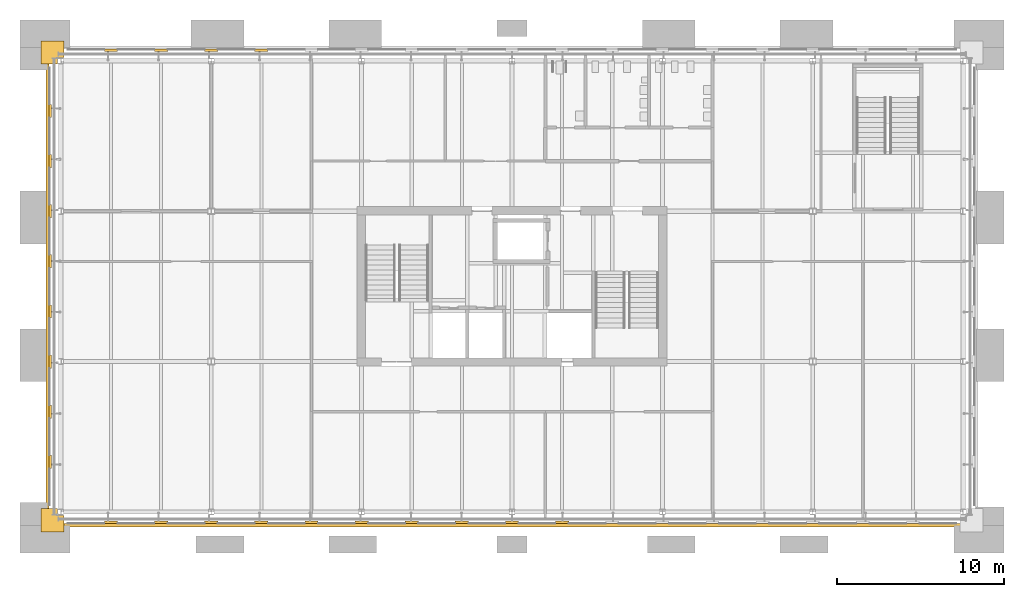
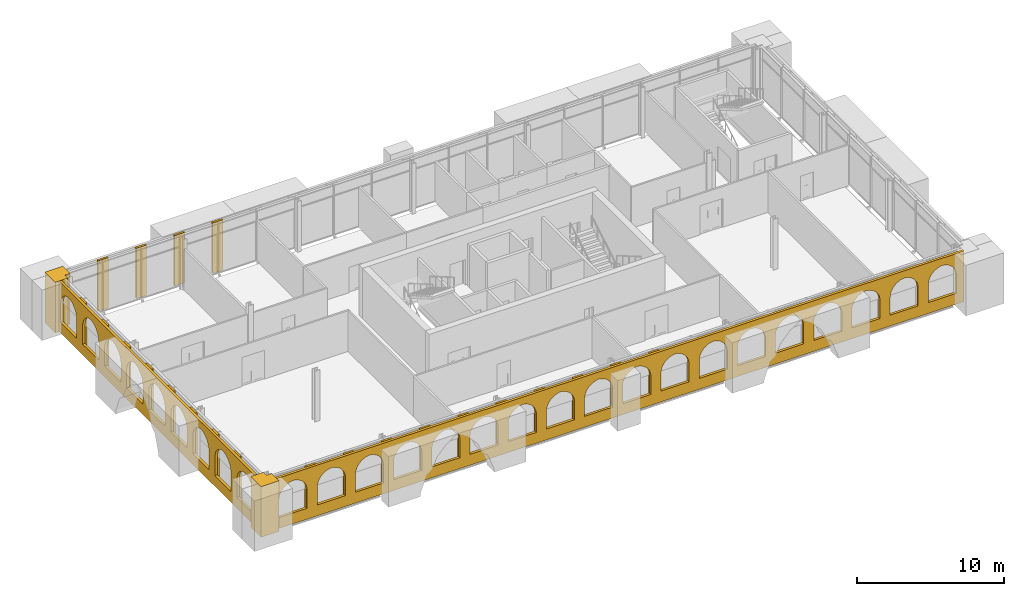
# One storey, part 19 of 22: 24 shading devices, 2 coverings.
"""IFC4 building model written with IfcOpenShell, lengths in metres."""

from ifc_helpers import new_model, si_unit, direction, frame, origin, origin_2d, place, context, subcontext, project, spatial, polyline, rectangle, outline, extrude, material, layer, layer_set, type_object, element, save


model = new_model("IFC4")

# Units and contexts
model_context = context("Model", 3, precision=1e-05, world=origin(), true_north=direction((0.0, 1.0)))
body_context = subcontext(model_context, "Body", "Model", "MODEL_VIEW")
ifc_project = project(units=[si_unit("LENGTHUNIT", "METRE"), si_unit("AREAUNIT", "SQUARE_METRE"), si_unit("VOLUMEUNIT", "CUBIC_METRE"), si_unit("PLANEANGLEUNIT", "RADIAN"), si_unit("MASSUNIT", "GRAM", prefix="KILO")], contexts=[model_context])

# Site, building, storey
site_placement = place(None, origin())
site = spatial("IfcSite", under=ifc_project, at=site_placement, CompositionType="ELEMENT")
building_placement = place(site_placement, origin())
building = spatial("IfcBuilding", under=site, at=building_placement, Name="Baradari Gate Terminus", CompositionType="ELEMENT")
storey_placement = place(building_placement, frame((0.0, 0.0, 28.5)))
storey = spatial("IfcBuildingStorey", under=building, at=storey_placement, Name="L06", CompositionType="ELEMENT", Elevation=28.5)

# Coverings
ifc_material_1 = material(Name="Light ochre laterite masonry", Category="masonry")
ifc_layer = layer(ifc_material_1, 0.199951171875)
ifc_layer_set = layer_set([ifc_layer], Name="Light ochre laterite masonry")
covering_type = type_object("IfcCoveringType", Name="Laterite arcade cladding LC-2 200", PredefinedType="CLADDING", material=ifc_layer_set)
covering_1_placement = place(storey_placement, frame((8.800048828125, 116.199951171875, 0.0), z_axis=(0.0, 0.0, 1.0), x_axis=(1.0, 0.0, 0.0)))
element("IfcCovering", 1, at=covering_1_placement, inside=storey, type_object=covering_type, Name="Laterite arcade cladding LC-2 L06 S face 1", PredefinedType="CLADDING", context=body_context, shape_type="SweptSolid", body=[
    extrude(outline(polyline([(0.0, 0.0), (54.39990234375, 0.0), (54.39990234375, 4.199951171875), (0.0, 4.199951171875), (0.0, 0.0)]), holes=[polyline([(0.681884765625, 2.836669921875), (0.744384765625, 2.9716796875), (0.822998046875, 3.09814453125), (0.91650390625, 3.2138671875), (1.023681640625, 3.317138671875), (1.142822265625, 3.406494140625), (1.272216796875, 3.48046875), (1.409423828125, 3.537841796875), (1.552734375, 3.577880859375), (1.699951171875, 3.60009765625), (1.84716796875, 3.577880859375), (1.990478515625, 3.537841796875), (2.1279296875, 3.48046875), (2.257080078125, 3.406494140625), (2.376220703125, 3.317138671875), (2.4833984375, 3.2138671875), (2.576904296875, 3.09814453125), (2.655517578125, 2.9716796875), (2.718017578125, 2.836669921875), (2.76318359375, 2.69482421875), (2.790771484375, 2.548583984375), (2.800048828125, 2.39990234375), (2.800048828125, 0.89990234375), (0.60009765625, 0.89990234375), (0.60009765625, 2.39990234375), (0.609130859375, 2.548583984375), (0.63671875, 2.69482421875), (0.681884765625, 2.836669921875)]), polyline([(3.681884765625, 2.836669921875), (3.744384765625, 2.9716796875), (3.822998046875, 3.09814453125), (3.91650390625, 3.2138671875), (4.023681640625, 3.317138671875), (4.142822265625, 3.406494140625), (4.272216796875, 3.48046875), (4.409423828125, 3.537841796875), (4.552734375, 3.577880859375), (4.699951171875, 3.60009765625), (4.84716796875, 3.577880859375), (4.990478515625, 3.537841796875), (5.1279296875, 3.48046875), (5.257080078125, 3.406494140625), (5.376220703125, 3.317138671875), (5.4833984375, 3.2138671875), (5.576904296875, 3.09814453125), (5.655517578125, 2.9716796875), (5.718017578125, 2.836669921875), (5.76318359375, 2.69482421875), (5.790771484375, 2.548583984375), (5.800048828125, 2.39990234375), (5.800048828125, 0.89990234375), (3.60009765625, 0.89990234375), (3.60009765625, 2.39990234375), (3.609130859375, 2.548583984375), (3.63671875, 2.69482421875), (3.681884765625, 2.836669921875)]), polyline([(6.681884765625, 2.836669921875), (6.744384765625, 2.9716796875), (6.822998046875, 3.09814453125), (6.91650390625, 3.2138671875), (7.023681640625, 3.317138671875), (7.142822265625, 3.406494140625), (7.272216796875, 3.48046875), (7.409423828125, 3.537841796875), (7.552734375, 3.577880859375), (7.699951171875, 3.60009765625), (7.84716796875, 3.577880859375), (7.990478515625, 3.537841796875), (8.1279296875, 3.48046875), (8.257080078125, 3.406494140625), (8.376220703125, 3.317138671875), (8.4833984375, 3.2138671875), (8.576904296875, 3.09814453125), (8.655517578125, 2.9716796875), (8.718017578125, 2.836669921875), (8.76318359375, 2.69482421875), (8.790771484375, 2.548583984375), (8.800048828125, 2.39990234375), (8.800048828125, 0.89990234375), (6.60009765625, 0.89990234375), (6.60009765625, 2.39990234375), (6.609130859375, 2.548583984375), (6.63671875, 2.69482421875), (6.681884765625, 2.836669921875)]), polyline([(9.681884765625, 2.836669921875), (9.744384765625, 2.9716796875), (9.822998046875, 3.09814453125), (9.91650390625, 3.2138671875), (10.023681640625, 3.317138671875), (10.142822265625, 3.406494140625), (10.272216796875, 3.48046875), (10.409423828125, 3.537841796875), (10.552734375, 3.577880859375), (10.699951171875, 3.60009765625), (10.84716796875, 3.577880859375), (10.990478515625, 3.537841796875), (11.1279296875, 3.48046875), (11.257080078125, 3.406494140625), (11.376220703125, 3.317138671875), (11.4833984375, 3.2138671875), (11.576904296875, 3.09814453125), (11.655517578125, 2.9716796875), (11.718017578125, 2.836669921875), (11.76318359375, 2.69482421875), (11.790771484375, 2.548583984375), (11.800048828125, 2.39990234375), (11.800048828125, 0.89990234375), (9.60009765625, 0.89990234375), (9.60009765625, 2.39990234375), (9.609130859375, 2.548583984375), (9.63671875, 2.69482421875), (9.681884765625, 2.836669921875)]), polyline([(12.681884765625, 2.836669921875), (12.744384765625, 2.9716796875), (12.822998046875, 3.09814453125), (12.91650390625, 3.2138671875), (13.023681640625, 3.317138671875), (13.142822265625, 3.406494140625), (13.272216796875, 3.48046875), (13.409423828125, 3.537841796875), (13.552734375, 3.577880859375), (13.699951171875, 3.60009765625), (13.84716796875, 3.577880859375), (13.990478515625, 3.537841796875), (14.1279296875, 3.48046875), (14.257080078125, 3.406494140625), (14.376220703125, 3.317138671875), (14.4833984375, 3.2138671875), (14.576904296875, 3.09814453125), (14.655517578125, 2.9716796875), (14.718017578125, 2.836669921875), (14.76318359375, 2.69482421875), (14.790771484375, 2.548583984375), (14.800048828125, 2.39990234375), (14.800048828125, 0.89990234375), (12.60009765625, 0.89990234375), (12.60009765625, 2.39990234375), (12.609130859375, 2.548583984375), (12.63671875, 2.69482421875), (12.681884765625, 2.836669921875)]), polyline([(15.681884765625, 2.836669921875), (15.744384765625, 2.9716796875), (15.822998046875, 3.09814453125), (15.91650390625, 3.2138671875), (16.023681640625, 3.317138671875), (16.142822265625, 3.406494140625), (16.272216796875, 3.48046875), (16.409423828125, 3.537841796875), (16.552734375, 3.577880859375), (16.699951171875, 3.60009765625), (16.84716796875, 3.577880859375), (16.990478515625, 3.537841796875), (17.1279296875, 3.48046875), (17.257080078125, 3.406494140625), (17.376220703125, 3.317138671875), (17.4833984375, 3.2138671875), (17.576904296875, 3.09814453125), (17.655517578125, 2.9716796875), (17.718017578125, 2.836669921875), (17.76318359375, 2.69482421875), (17.790771484375, 2.548583984375), (17.800048828125, 2.39990234375), (17.800048828125, 0.89990234375), (15.60009765625, 0.89990234375), (15.60009765625, 2.39990234375), (15.609130859375, 2.548583984375), (15.63671875, 2.69482421875), (15.681884765625, 2.836669921875)]), polyline([(18.681884765625, 2.836669921875), (18.744384765625, 2.9716796875), (18.822998046875, 3.09814453125), (18.91650390625, 3.2138671875), (19.023681640625, 3.317138671875), (19.142822265625, 3.406494140625), (19.272216796875, 3.48046875), (19.409423828125, 3.537841796875), (19.552734375, 3.577880859375), (19.699951171875, 3.60009765625), (19.84716796875, 3.577880859375), (19.990478515625, 3.537841796875), (20.1279296875, 3.48046875), (20.257080078125, 3.406494140625), (20.376220703125, 3.317138671875), (20.4833984375, 3.2138671875), (20.576904296875, 3.09814453125), (20.655517578125, 2.9716796875), (20.718017578125, 2.836669921875), (20.76318359375, 2.69482421875), (20.790771484375, 2.548583984375), (20.800048828125, 2.39990234375), (20.800048828125, 0.89990234375), (18.60009765625, 0.89990234375), (18.60009765625, 2.39990234375), (18.609130859375, 2.548583984375), (18.63671875, 2.69482421875), (18.681884765625, 2.836669921875)]), polyline([(21.744384765625, 2.9716796875), (21.822998046875, 3.09814453125), (21.91650390625, 3.2138671875), (22.023681640625, 3.317138671875), (22.142822265625, 3.406494140625), (22.272216796875, 3.48046875), (22.409423828125, 3.537841796875), (22.552734375, 3.577880859375), (22.699951171875, 3.60009765625), (22.84716796875, 3.577880859375), (22.990478515625, 3.537841796875), (23.1279296875, 3.48046875), (23.257080078125, 3.406494140625), (23.376220703125, 3.317138671875), (23.4833984375, 3.2138671875), (23.576904296875, 3.09814453125), (23.655517578125, 2.9716796875), (23.718017578125, 2.836669921875), (23.76318359375, 2.69482421875), (23.790771484375, 2.548583984375), (23.800048828125, 2.39990234375), (23.800048828125, 0.89990234375), (21.60009765625, 0.89990234375), (21.60009765625, 2.39990234375), (21.609130859375, 2.548583984375), (21.63671875, 2.69482421875), (21.681884765625, 2.836669921875), (21.744384765625, 2.9716796875)]), polyline([(24.744384765625, 2.9716796875), (24.822998046875, 3.09814453125), (24.91650390625, 3.2138671875), (25.023681640625, 3.317138671875), (25.142822265625, 3.406494140625), (25.272216796875, 3.48046875), (25.409423828125, 3.537841796875), (25.552734375, 3.577880859375), (25.699951171875, 3.60009765625), (25.84716796875, 3.577880859375), (25.990478515625, 3.537841796875), (26.1279296875, 3.48046875), (26.257080078125, 3.406494140625), (26.376220703125, 3.317138671875), (26.4833984375, 3.2138671875), (26.576904296875, 3.09814453125), (26.655517578125, 2.9716796875), (26.718017578125, 2.836669921875), (26.76318359375, 2.69482421875), (26.790771484375, 2.548583984375), (26.800048828125, 2.39990234375), (26.800048828125, 0.89990234375), (24.60009765625, 0.89990234375), (24.60009765625, 2.39990234375), (24.609130859375, 2.548583984375), (24.63671875, 2.69482421875), (24.681884765625, 2.836669921875), (24.744384765625, 2.9716796875)]), polyline([(27.681884765625, 2.836669921875), (27.744384765625, 2.9716796875), (27.822998046875, 3.09814453125), (27.91650390625, 3.2138671875), (28.023681640625, 3.317138671875), (28.142822265625, 3.406494140625), (28.272216796875, 3.48046875), (28.409423828125, 3.537841796875), (28.552734375, 3.577880859375), (28.699951171875, 3.60009765625), (28.84716796875, 3.577880859375), (28.990478515625, 3.537841796875), (29.1279296875, 3.48046875), (29.257080078125, 3.406494140625), (29.376220703125, 3.317138671875), (29.4833984375, 3.2138671875), (29.576904296875, 3.09814453125), (29.655517578125, 2.9716796875), (29.718017578125, 2.836669921875), (29.76318359375, 2.69482421875), (29.790771484375, 2.548583984375), (29.800048828125, 2.39990234375), (29.800048828125, 0.89990234375), (27.60009765625, 0.89990234375), (27.60009765625, 2.39990234375), (27.609130859375, 2.548583984375), (27.63671875, 2.69482421875), (27.681884765625, 2.836669921875)]), polyline([(30.681884765625, 2.836669921875), (30.744384765625, 2.9716796875), (30.822998046875, 3.09814453125), (30.91650390625, 3.2138671875), (31.023681640625, 3.317138671875), (31.142822265625, 3.406494140625), (31.272216796875, 3.48046875), (31.409423828125, 3.537841796875), (31.552734375, 3.577880859375), (31.699951171875, 3.60009765625), (31.84716796875, 3.577880859375), (31.990478515625, 3.537841796875), (32.1279296875, 3.48046875), (32.257080078125, 3.406494140625), (32.376220703125, 3.317138671875), (32.4833984375, 3.2138671875), (32.576904296875, 3.09814453125), (32.655517578125, 2.9716796875), (32.718017578125, 2.836669921875), (32.76318359375, 2.69482421875), (32.790771484375, 2.548583984375), (32.800048828125, 2.39990234375), (32.800048828125, 0.89990234375), (30.60009765625, 0.89990234375), (30.60009765625, 2.39990234375), (30.609130859375, 2.548583984375), (30.63671875, 2.69482421875), (30.681884765625, 2.836669921875)]), polyline([(33.681884765625, 2.836669921875), (33.744384765625, 2.9716796875), (33.822998046875, 3.09814453125), (33.91650390625, 3.2138671875), (34.023681640625, 3.317138671875), (34.142822265625, 3.406494140625), (34.272216796875, 3.48046875), (34.409423828125, 3.537841796875), (34.552734375, 3.577880859375), (34.699951171875, 3.60009765625), (34.84716796875, 3.577880859375), (34.990478515625, 3.537841796875), (35.1279296875, 3.48046875), (35.257080078125, 3.406494140625), (35.376220703125, 3.317138671875), (35.4833984375, 3.2138671875), (35.576904296875, 3.09814453125), (35.655517578125, 2.9716796875), (35.718017578125, 2.836669921875), (35.76318359375, 2.69482421875), (35.790771484375, 2.548583984375), (35.800048828125, 2.39990234375), (35.800048828125, 0.89990234375), (33.60009765625, 0.89990234375), (33.60009765625, 2.39990234375), (33.609130859375, 2.548583984375), (33.63671875, 2.69482421875), (33.681884765625, 2.836669921875)]), polyline([(36.681884765625, 2.836669921875), (36.744384765625, 2.9716796875), (36.822998046875, 3.09814453125), (36.91650390625, 3.2138671875), (37.023681640625, 3.317138671875), (37.142822265625, 3.406494140625), (37.272216796875, 3.48046875), (37.409423828125, 3.537841796875), (37.552734375, 3.577880859375), (37.699951171875, 3.60009765625), (37.84716796875, 3.577880859375), (37.990478515625, 3.537841796875), (38.1279296875, 3.48046875), (38.257080078125, 3.406494140625), (38.376220703125, 3.317138671875), (38.4833984375, 3.2138671875), (38.576904296875, 3.09814453125), (38.655517578125, 2.9716796875), (38.718017578125, 2.836669921875), (38.76318359375, 2.69482421875), (38.790771484375, 2.548583984375), (38.800048828125, 2.39990234375), (38.800048828125, 0.89990234375), (36.60009765625, 0.89990234375), (36.60009765625, 2.39990234375), (36.609130859375, 2.548583984375), (36.63671875, 2.69482421875), (36.681884765625, 2.836669921875)]), polyline([(39.681884765625, 2.836669921875), (39.744384765625, 2.9716796875), (39.822998046875, 3.09814453125), (39.91650390625, 3.2138671875), (40.023681640625, 3.317138671875), (40.142822265625, 3.406494140625), (40.272216796875, 3.48046875), (40.409423828125, 3.537841796875), (40.552734375, 3.577880859375), (40.699951171875, 3.60009765625), (40.84716796875, 3.577880859375), (40.990478515625, 3.537841796875), (41.1279296875, 3.48046875), (41.257080078125, 3.406494140625), (41.376220703125, 3.317138671875), (41.4833984375, 3.2138671875), (41.576904296875, 3.09814453125), (41.655517578125, 2.9716796875), (41.718017578125, 2.836669921875), (41.76318359375, 2.69482421875), (41.790771484375, 2.548583984375), (41.800048828125, 2.39990234375), (41.800048828125, 0.89990234375), (39.60009765625, 0.89990234375), (39.60009765625, 2.39990234375), (39.609130859375, 2.548583984375), (39.63671875, 2.69482421875), (39.681884765625, 2.836669921875)]), polyline([(42.681884765625, 2.836669921875), (42.744384765625, 2.9716796875), (42.822998046875, 3.09814453125), (42.91650390625, 3.2138671875), (43.023681640625, 3.317138671875), (43.142822265625, 3.406494140625), (43.272216796875, 3.48046875), (43.409423828125, 3.537841796875), (43.552734375, 3.577880859375), (43.699951171875, 3.60009765625), (43.84716796875, 3.577880859375), (43.990478515625, 3.537841796875), (44.1279296875, 3.48046875), (44.257080078125, 3.406494140625), (44.376220703125, 3.317138671875), (44.4833984375, 3.2138671875), (44.576904296875, 3.09814453125), (44.655517578125, 2.9716796875), (44.718017578125, 2.836669921875), (44.76318359375, 2.69482421875), (44.790771484375, 2.548583984375), (44.800048828125, 2.39990234375), (44.800048828125, 0.89990234375), (42.60009765625, 0.89990234375), (42.60009765625, 2.39990234375), (42.609130859375, 2.548583984375), (42.63671875, 2.69482421875), (42.681884765625, 2.836669921875)]), polyline([(45.681884765625, 2.836669921875), (45.744384765625, 2.9716796875), (45.822998046875, 3.09814453125), (45.91650390625, 3.2138671875), (46.023681640625, 3.317138671875), (46.142822265625, 3.406494140625), (46.272216796875, 3.48046875), (46.409423828125, 3.537841796875), (46.552734375, 3.577880859375), (46.699951171875, 3.60009765625), (46.84716796875, 3.577880859375), (46.990478515625, 3.537841796875), (47.1279296875, 3.48046875), (47.257080078125, 3.406494140625), (47.376220703125, 3.317138671875), (47.4833984375, 3.2138671875), (47.576904296875, 3.09814453125), (47.655517578125, 2.9716796875), (47.718017578125, 2.836669921875), (47.76318359375, 2.69482421875), (47.790771484375, 2.548583984375), (47.800048828125, 2.39990234375), (47.800048828125, 0.89990234375), (45.60009765625, 0.89990234375), (45.60009765625, 2.39990234375), (45.609130859375, 2.548583984375), (45.63671875, 2.69482421875), (45.681884765625, 2.836669921875)]), polyline([(48.744384765625, 2.9716796875), (48.822998046875, 3.09814453125), (48.91650390625, 3.2138671875), (49.023681640625, 3.317138671875), (49.142822265625, 3.406494140625), (49.272216796875, 3.48046875), (49.409423828125, 3.537841796875), (49.552734375, 3.577880859375), (49.699951171875, 3.60009765625), (49.84716796875, 3.577880859375), (49.990478515625, 3.537841796875), (50.1279296875, 3.48046875), (50.257080078125, 3.406494140625), (50.376220703125, 3.317138671875), (50.4833984375, 3.2138671875), (50.576904296875, 3.09814453125), (50.655517578125, 2.9716796875), (50.718017578125, 2.836669921875), (50.76318359375, 2.69482421875), (50.790771484375, 2.548583984375), (50.800048828125, 2.39990234375), (50.800048828125, 0.89990234375), (48.60009765625, 0.89990234375), (48.60009765625, 2.39990234375), (48.609130859375, 2.548583984375), (48.63671875, 2.69482421875), (48.681884765625, 2.836669921875), (48.744384765625, 2.9716796875)]), polyline([(51.744384765625, 2.9716796875), (51.822998046875, 3.09814453125), (51.91650390625, 3.2138671875), (52.023681640625, 3.317138671875), (52.142822265625, 3.406494140625), (52.272216796875, 3.48046875), (52.409423828125, 3.537841796875), (52.552734375, 3.577880859375), (52.699951171875, 3.60009765625), (52.84716796875, 3.577880859375), (52.990478515625, 3.537841796875), (53.1279296875, 3.48046875), (53.257080078125, 3.406494140625), (53.376220703125, 3.317138671875), (53.4833984375, 3.2138671875), (53.576904296875, 3.09814453125), (53.655517578125, 2.9716796875), (53.718017578125, 2.836669921875), (53.76318359375, 2.69482421875), (53.790771484375, 2.548583984375), (53.800048828125, 2.39990234375), (53.800048828125, 0.89990234375), (51.60009765625, 0.89990234375), (51.60009765625, 2.39990234375), (51.609130859375, 2.548583984375), (51.63671875, 2.69482421875), (51.681884765625, 2.836669921875), (51.744384765625, 2.9716796875)])]), frame((0.0, 0.10009765625, 0.0), z_axis=(0.0, -1.0, 0.0), x_axis=(1.0, 0.0, 0.0)), (0.0, 0.0, 1.0), 0.199951171875),
])
covering_2_placement = place(storey_placement, frame((8.199951171875, 144.199951171875, 0.0), z_axis=(0.0, 0.0, 1.0), x_axis=(0.0, -1.0, 0.0)))
element("IfcCovering", 2, at=covering_2_placement, inside=storey, type_object=covering_type, Name="Laterite arcade cladding LC-2 L06 W face 1", PredefinedType="CLADDING", context=body_context, shape_type="SweptSolid", body=[
    extrude(outline(polyline([(0.0, 0.0), (27.39990234375, 0.0), (27.39990234375, 4.199951171875), (0.0, 4.199951171875), (0.0, 0.0)]), holes=[polyline([(0.63671875, 2.69482421875), (0.681884765625, 2.836669921875), (0.744384765625, 2.9716796875), (0.822998046875, 3.09814453125), (0.91650390625, 3.2138671875), (1.023681640625, 3.317138671875), (1.142822265625, 3.406494140625), (1.272216796875, 3.48046875), (1.409423828125, 3.537841796875), (1.552734375, 3.577880859375), (1.699951171875, 3.60009765625), (1.84716796875, 3.577880859375), (1.990478515625, 3.537841796875), (2.1279296875, 3.48046875), (2.257080078125, 3.406494140625), (2.376220703125, 3.317138671875), (2.4833984375, 3.2138671875), (2.576904296875, 3.09814453125), (2.655517578125, 2.9716796875), (2.718017578125, 2.836669921875), (2.76318359375, 2.69482421875), (2.790771484375, 2.548583984375), (2.800048828125, 2.39990234375), (2.800048828125, 0.89990234375), (0.60009765625, 0.89990234375), (0.60009765625, 2.39990234375), (0.609130859375, 2.548583984375), (0.63671875, 2.69482421875)]), polyline([(3.63671875, 2.69482421875), (3.681884765625, 2.836669921875), (3.744384765625, 2.9716796875), (3.822998046875, 3.09814453125), (3.91650390625, 3.2138671875), (4.023681640625, 3.317138671875), (4.142822265625, 3.406494140625), (4.272216796875, 3.48046875), (4.409423828125, 3.537841796875), (4.552734375, 3.577880859375), (4.699951171875, 3.60009765625), (4.84716796875, 3.577880859375), (4.990478515625, 3.537841796875), (5.1279296875, 3.48046875), (5.257080078125, 3.406494140625), (5.376220703125, 3.317138671875), (5.4833984375, 3.2138671875), (5.576904296875, 3.09814453125), (5.655517578125, 2.9716796875), (5.718017578125, 2.836669921875), (5.76318359375, 2.69482421875), (5.790771484375, 2.548583984375), (5.800048828125, 2.39990234375), (5.800048828125, 0.89990234375), (3.60009765625, 0.89990234375), (3.60009765625, 2.39990234375), (3.609130859375, 2.548583984375), (3.63671875, 2.69482421875)]), polyline([(6.63671875, 2.69482421875), (6.681884765625, 2.836669921875), (6.744384765625, 2.9716796875), (6.822998046875, 3.09814453125), (6.91650390625, 3.2138671875), (7.023681640625, 3.317138671875), (7.142822265625, 3.406494140625), (7.272216796875, 3.48046875), (7.409423828125, 3.537841796875), (7.552734375, 3.577880859375), (7.699951171875, 3.60009765625), (7.84716796875, 3.577880859375), (7.990478515625, 3.537841796875), (8.1279296875, 3.48046875), (8.257080078125, 3.406494140625), (8.376220703125, 3.317138671875), (8.4833984375, 3.2138671875), (8.576904296875, 3.09814453125), (8.655517578125, 2.9716796875), (8.718017578125, 2.836669921875), (8.76318359375, 2.69482421875), (8.790771484375, 2.548583984375), (8.800048828125, 2.39990234375), (8.800048828125, 0.89990234375), (6.60009765625, 0.89990234375), (6.60009765625, 2.39990234375), (6.609130859375, 2.548583984375), (6.63671875, 2.69482421875)]), polyline([(9.63671875, 2.69482421875), (9.681884765625, 2.836669921875), (9.744384765625, 2.9716796875), (9.822998046875, 3.09814453125), (9.91650390625, 3.2138671875), (10.023681640625, 3.317138671875), (10.142822265625, 3.406494140625), (10.272216796875, 3.48046875), (10.409423828125, 3.537841796875), (10.552734375, 3.577880859375), (10.699951171875, 3.60009765625), (10.84716796875, 3.577880859375), (10.990478515625, 3.537841796875), (11.1279296875, 3.48046875), (11.257080078125, 3.406494140625), (11.376220703125, 3.317138671875), (11.4833984375, 3.2138671875), (11.576904296875, 3.09814453125), (11.655517578125, 2.9716796875), (11.718017578125, 2.836669921875), (11.76318359375, 2.69482421875), (11.790771484375, 2.548583984375), (11.800048828125, 2.39990234375), (11.800048828125, 0.89990234375), (9.60009765625, 0.89990234375), (9.60009765625, 2.39990234375), (9.609130859375, 2.548583984375), (9.63671875, 2.69482421875)]), polyline([(12.63671875, 2.69482421875), (12.681884765625, 2.836669921875), (12.744384765625, 2.9716796875), (12.822998046875, 3.09814453125), (12.91650390625, 3.2138671875), (13.023681640625, 3.317138671875), (13.142822265625, 3.406494140625), (13.272216796875, 3.48046875), (13.409423828125, 3.537841796875), (13.552734375, 3.577880859375), (13.699951171875, 3.60009765625), (13.84716796875, 3.577880859375), (13.990478515625, 3.537841796875), (14.1279296875, 3.48046875), (14.257080078125, 3.406494140625), (14.376220703125, 3.317138671875), (14.4833984375, 3.2138671875), (14.576904296875, 3.09814453125), (14.655517578125, 2.9716796875), (14.718017578125, 2.836669921875), (14.76318359375, 2.69482421875), (14.790771484375, 2.548583984375), (14.800048828125, 2.39990234375), (14.800048828125, 0.89990234375), (12.60009765625, 0.89990234375), (12.60009765625, 2.39990234375), (12.609130859375, 2.548583984375), (12.63671875, 2.69482421875)]), polyline([(15.63671875, 2.69482421875), (15.681884765625, 2.836669921875), (15.744384765625, 2.9716796875), (15.822998046875, 3.09814453125), (15.91650390625, 3.2138671875), (16.023681640625, 3.317138671875), (16.142822265625, 3.406494140625), (16.272216796875, 3.48046875), (16.409423828125, 3.537841796875), (16.552734375, 3.577880859375), (16.699951171875, 3.60009765625), (16.84716796875, 3.577880859375), (16.990478515625, 3.537841796875), (17.1279296875, 3.48046875), (17.257080078125, 3.406494140625), (17.376220703125, 3.317138671875), (17.4833984375, 3.2138671875), (17.576904296875, 3.09814453125), (17.655517578125, 2.9716796875), (17.718017578125, 2.836669921875), (17.76318359375, 2.69482421875), (17.790771484375, 2.548583984375), (17.800048828125, 2.39990234375), (17.800048828125, 0.89990234375), (15.60009765625, 0.89990234375), (15.60009765625, 2.39990234375), (15.609130859375, 2.548583984375), (15.63671875, 2.69482421875)]), polyline([(18.63671875, 2.69482421875), (18.681884765625, 2.836669921875), (18.744384765625, 2.9716796875), (18.822998046875, 3.09814453125), (18.91650390625, 3.2138671875), (19.023681640625, 3.317138671875), (19.142822265625, 3.406494140625), (19.272216796875, 3.48046875), (19.409423828125, 3.537841796875), (19.552734375, 3.577880859375), (19.699951171875, 3.60009765625), (19.84716796875, 3.577880859375), (19.990478515625, 3.537841796875), (20.1279296875, 3.48046875), (20.257080078125, 3.406494140625), (20.376220703125, 3.317138671875), (20.4833984375, 3.2138671875), (20.576904296875, 3.09814453125), (20.655517578125, 2.9716796875), (20.718017578125, 2.836669921875), (20.76318359375, 2.69482421875), (20.790771484375, 2.548583984375), (20.800048828125, 2.39990234375), (20.800048828125, 0.89990234375), (18.60009765625, 0.89990234375), (18.60009765625, 2.39990234375), (18.609130859375, 2.548583984375), (18.63671875, 2.69482421875)]), polyline([(21.681884765625, 2.836669921875), (21.744384765625, 2.9716796875), (21.822998046875, 3.09814453125), (21.91650390625, 3.2138671875), (22.023681640625, 3.317138671875), (22.142822265625, 3.406494140625), (22.272216796875, 3.48046875), (22.409423828125, 3.537841796875), (22.552734375, 3.577880859375), (22.699951171875, 3.60009765625), (22.84716796875, 3.577880859375), (22.990478515625, 3.537841796875), (23.1279296875, 3.48046875), (23.257080078125, 3.406494140625), (23.376220703125, 3.317138671875), (23.4833984375, 3.2138671875), (23.576904296875, 3.09814453125), (23.655517578125, 2.9716796875), (23.718017578125, 2.836669921875), (23.76318359375, 2.69482421875), (23.790771484375, 2.548583984375), (23.800048828125, 2.39990234375), (23.800048828125, 0.89990234375), (21.60009765625, 0.89990234375), (21.60009765625, 2.39990234375), (21.609130859375, 2.548583984375), (21.63671875, 2.69482421875), (21.681884765625, 2.836669921875)]), polyline([(24.681884765625, 2.836669921875), (24.744384765625, 2.9716796875), (24.822998046875, 3.09814453125), (24.91650390625, 3.2138671875), (25.023681640625, 3.317138671875), (25.142822265625, 3.406494140625), (25.272216796875, 3.48046875), (25.409423828125, 3.537841796875), (25.552734375, 3.577880859375), (25.699951171875, 3.60009765625), (25.84716796875, 3.577880859375), (25.990478515625, 3.537841796875), (26.1279296875, 3.48046875), (26.257080078125, 3.406494140625), (26.376220703125, 3.317138671875), (26.4833984375, 3.2138671875), (26.576904296875, 3.09814453125), (26.655517578125, 2.9716796875), (26.718017578125, 2.836669921875), (26.76318359375, 2.69482421875), (26.790771484375, 2.548583984375), (26.800048828125, 2.39990234375), (26.800048828125, 0.89990234375), (24.60009765625, 0.89990234375), (24.60009765625, 2.39990234375), (24.609130859375, 2.548583984375), (24.63671875, 2.69482421875), (24.681884765625, 2.836669921875)])]), frame((0.0, 0.10009765625, 0.0), z_axis=(0.0, -1.0, 0.0), x_axis=(1.0, 0.0, 0.0)), (0.0, 0.0, 1.0), 0.199951171875),
])

# Shading devices
ifc_material_2 = material(Name="Light ochre laterite masonry", Category="masonry")
shading_device_type_1 = type_object("IfcShadingDeviceType", Name="Laterite arcade pier TP-4 800x195", PredefinedType="SHUTTER", material=ifc_material_2)
for number, where, z_axis, x_axis, name in (
    (3, (12.0, 116.37744140625, 0.0), (0.0, 0.0, 1.0), (1.0, 0.0, 0.0), "Arcade pier TP-4 L06 S face"),
    (4, (15.0, 116.37744140625, 0.0), (0.0, 0.0, 1.0), (1.0, 0.0, 0.0), "Arcade pier TP-4 L06 S face"),
    (5, (18.0, 116.37744140625, 0.0), (0.0, 0.0, 1.0), (1.0, 0.0, 0.0), "Arcade pier TP-4 L06 S face"),
    (6, (21.0, 116.37744140625, 0.0), (0.0, 0.0, 1.0), (1.0, 0.0, 0.0), "Arcade pier TP-4 L06 S face"),
    (7, (24.0, 116.37744140625, 0.0), (0.0, 0.0, 1.0), (1.0, 0.0, 0.0), "Arcade pier TP-4 L06 S face"),
    (8, (27.0, 116.37744140625, 0.0), (0.0, 0.0, 1.0), (1.0, 0.0, 0.0), "Arcade pier TP-4 L06 S face"),
    (9, (30.0, 116.37744140625, 0.0), (0.0, 0.0, 1.0), (1.0, 0.0, 0.0), "Arcade pier TP-4 L06 S face"),
    (10, (33.0, 116.37744140625, 0.0), (0.0, 0.0, 1.0), (1.0, 0.0, 0.0), "Arcade pier TP-4 L06 S face"),
    (11, (36.0, 116.37744140625, 0.0), (0.0, 0.0, 1.0), (1.0, 0.0, 0.0), "Arcade pier TP-4 L06 S face"),
    (12, (39.0, 116.37744140625, 0.0), (0.0, 0.0, 1.0), (1.0, 0.0, 0.0), "Arcade pier TP-4 L06 S face"),
    (13, (21.0, 144.62255859375, 0.0), (0.0, 0.0, 1.0), (-1.0, 0.0, 0.0), "Arcade pier TP-4 L06 N face"),
    (14, (18.0, 144.62255859375, 0.0), (0.0, 0.0, 1.0), (-1.0, 0.0, 0.0), "Arcade pier TP-4 L06 N face"),
    (15, (15.0, 144.62255859375, 0.0), (0.0, 0.0, 1.0), (-1.0, 0.0, 0.0), "Arcade pier TP-4 L06 N face"),
    (16, (12.0, 144.62255859375, 0.0), (0.0, 0.0, 1.0), (-1.0, 0.0, 0.0), "Arcade pier TP-4 L06 N face"),
    (17, (8.37744140625, 141.0, 0.0), (0.0, 0.0, 1.0), (0.0, -1.0, 0.0), "Arcade pier TP-4 L06 W face"),
    (18, (8.37744140625, 138.0, 0.0), (0.0, 0.0, 1.0), (0.0, -1.0, 0.0), "Arcade pier TP-4 L06 W face"),
    (19, (8.37744140625, 135.0, 0.0), (0.0, 0.0, 1.0), (0.0, -1.0, 0.0), "Arcade pier TP-4 L06 W face"),
    (20, (8.37744140625, 132.0, 0.0), (0.0, 0.0, 1.0), (0.0, -1.0, 0.0), "Arcade pier TP-4 L06 W face"),
    (21, (8.37744140625, 129.0, 0.0), (0.0, 0.0, 1.0), (0.0, -1.0, 0.0), "Arcade pier TP-4 L06 W face"),
    (22, (8.37744140625, 126.0, 0.0), (0.0, 0.0, 1.0), (0.0, -1.0, 0.0), "Arcade pier TP-4 L06 W face"),
    (23, (8.37744140625, 123.0, 0.0), (0.0, 0.0, 1.0), (0.0, -1.0, 0.0), "Arcade pier TP-4 L06 W face"),
    (24, (8.37744140625, 120.0, 0.0), (0.0, 0.0, 1.0), (0.0, -1.0, 0.0), "Arcade pier TP-4 L06 W face"),
):
    element("IfcShadingDevice", number, at=place(storey_placement, frame(where, z_axis=z_axis, x_axis=x_axis)), inside=storey, type_object=shading_device_type_1, Name=name, PredefinedType="SHUTTER", context=body_context, shape_type="SweptSolid", body=[
        extrude(rectangle(XDim=0.800048828125, YDim=0.155029296875, at=origin_2d()), origin(), (0.0, 0.0, 1.0), 4.199951171875),
    ])
ifc_material_3 = material(Name="Light ochre laterite masonry", Category="masonry")
shading_device_type_2 = type_object("IfcShadingDeviceType", Name="Laterite corner pier QP-1 1000x1000", PredefinedType="SHUTTER", material=ifc_material_3)
shading_device_1_placement = place(storey_placement, origin())
element("IfcShadingDevice", 25, at=shading_device_1_placement, inside=storey, type_object=shading_device_type_2, Name="Corner pier QP-1 L06 at grid 9/117", PredefinedType="SHUTTER", context=body_context, shape_type="SweptSolid", body=[
    extrude(outline(polyline([(9.199951171875, 116.800048828125), (9.199951171875, 115.800048828125), (7.800048828125, 115.800048828125), (7.800048828125, 117.199951171875), (8.800048828125, 117.199951171875), (8.800048828125, 116.800048828125), (9.199951171875, 116.800048828125)])), origin(), (0.0, 0.0, 1.0), 4.199951171875),
])
shading_device_2_placement = place(storey_placement, origin())
element("IfcShadingDevice", 26, at=shading_device_2_placement, inside=storey, type_object=shading_device_type_2, Name="Corner pier QP-1 L06 at grid 9/144", PredefinedType="SHUTTER", context=body_context, shape_type="SweptSolid", body=[
    extrude(outline(polyline([(8.800048828125, 143.800048828125), (7.800048828125, 143.800048828125), (7.800048828125, 145.199951171875), (9.199951171875, 145.199951171875), (9.199951171875, 144.199951171875), (8.800048828125, 144.199951171875), (8.800048828125, 143.800048828125)])), origin(), (0.0, 0.0, 1.0), 4.199951171875),
])

save(model, "model.ifc")
